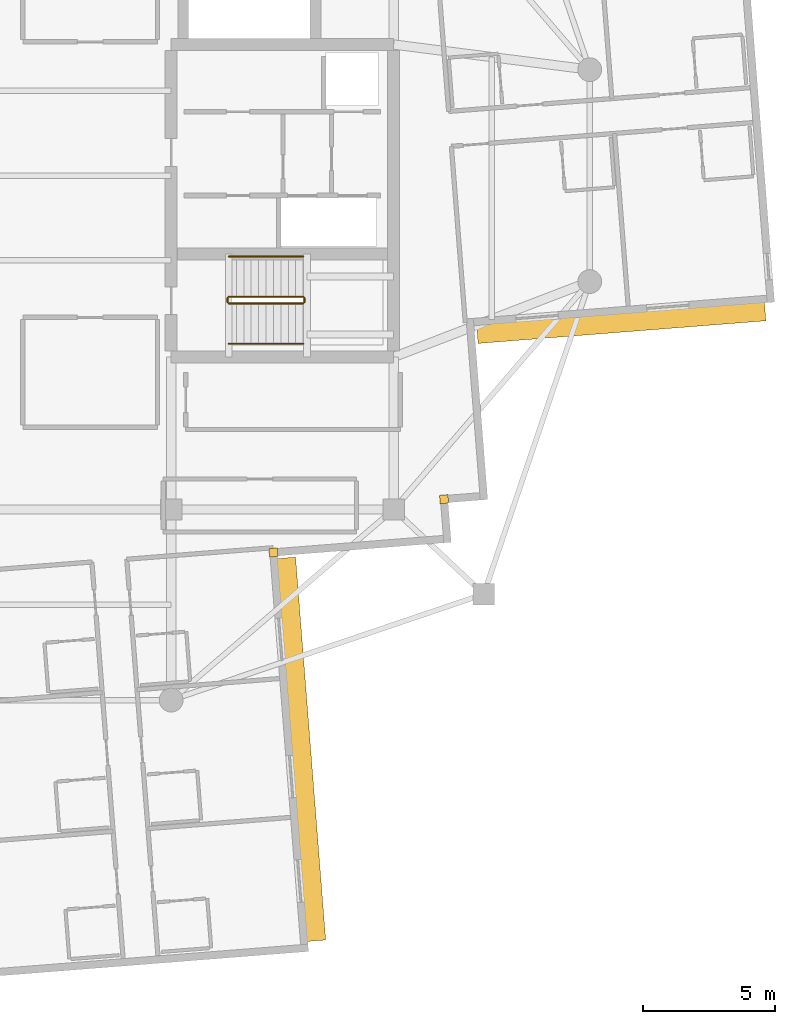
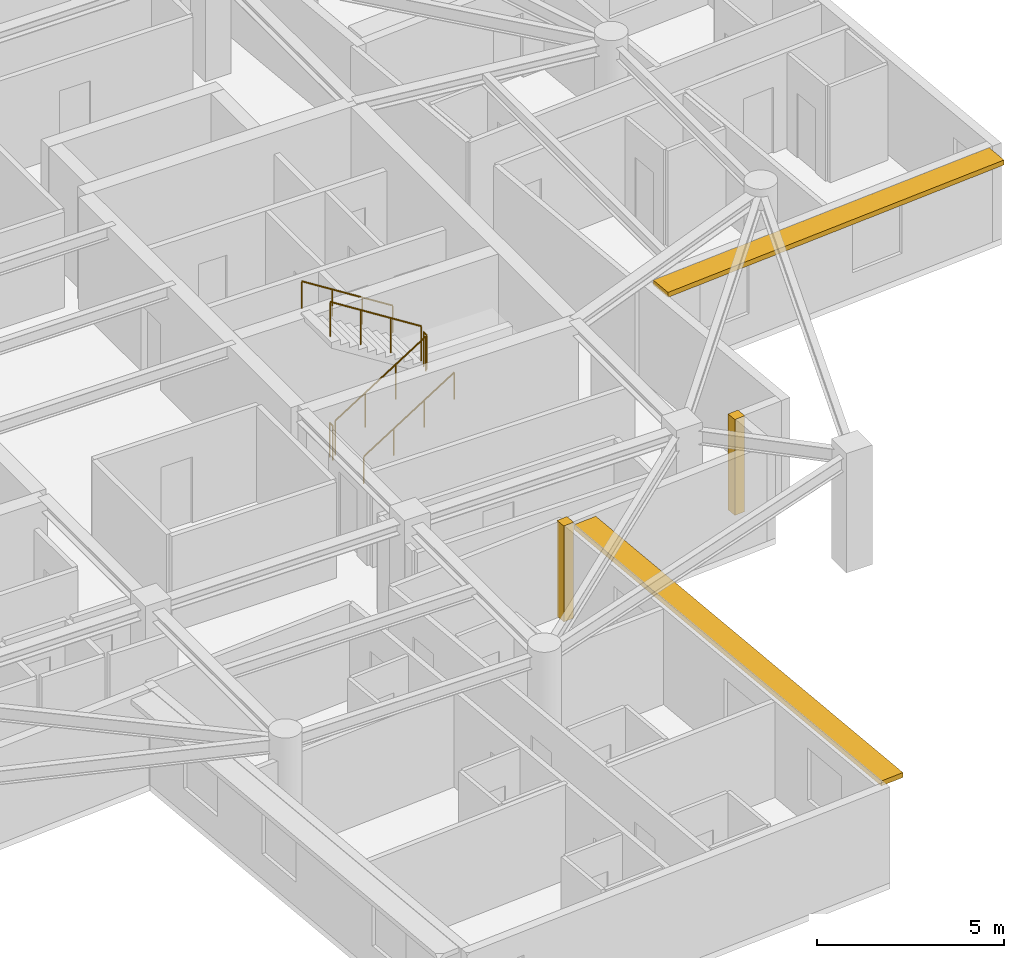
# One storey, part 11 of 13: 6 railings, 2 coverings, 2 shading devices.
"""IFC4 building model written with IfcOpenShell, lengths in metres."""

from ifc_helpers import new_model, si_unit, direction, frame, origin, origin_2d, place, context, subcontext, project, spatial, rectangle, circle, extrude, material, layer, layer_set, type_object, element, save


model = new_model("IFC4")

# Units and contexts
model_context = context("Model", 3, precision=1e-05, world=origin(), true_north=direction((0.0, 1.0)))
body_context = subcontext(model_context, "Body", "Model", "MODEL_VIEW")
ifc_project = project(units=[si_unit("LENGTHUNIT", "METRE"), si_unit("AREAUNIT", "SQUARE_METRE"), si_unit("VOLUMEUNIT", "CUBIC_METRE"), si_unit("PLANEANGLEUNIT", "RADIAN"), si_unit("MASSUNIT", "GRAM", prefix="KILO")], contexts=[model_context])

# Site, building, storey
site_placement = place(None, origin())
site = spatial("IfcSite", under=ifc_project, at=site_placement, CompositionType="ELEMENT")
building_placement = place(site_placement, origin())
building = spatial("IfcBuilding", under=site, at=building_placement, Name="Qingluan Cross Belvedere", CompositionType="ELEMENT")
storey_placement = place(building_placement, frame((0.0, 0.0, 285.0)))
storey = spatial("IfcBuildingStorey", under=building, at=storey_placement, Name="L71", CompositionType="ELEMENT", Elevation=285.0)

# Coverings
ifc_material_1 = material(Name="Precast concrete C45", Category="concrete")
ifc_layer_1 = layer(ifc_material_1, 0.1201171875, Name="ConcreteSpandrelCladding_120")
ifc_layer_set_1 = layer_set([ifc_layer_1], Name="Precast concrete C45")
covering_type = type_object("IfcCoveringType", Name="ConcreteSpandrelCladding_120", PredefinedType="CLADDING", material=ifc_layer_set_1)
for number, where, z_axis, x_axis, name in (
    (1, (14.302490234375, -12.215576171875, 0.0), (0.0, 0.0, 1.0), (0.996917333733, 0.078459095728, 0.0), "Corner closure L71-SE1"),
    (2, (7.860595703125, -14.22705078125, 0.0), (0.0, 0.0, 1.0), (0.996917333733, 0.078459095728, 0.0), "Corner closure L71-SE2"),
):
    element("IfcCovering", number, at=place(storey_placement, frame(where, z_axis=z_axis, x_axis=x_axis)), inside=storey, type_object=covering_type, Name=name, PredefinedType="CLADDING", context=body_context, shape_type="SweptSolid", body=[
        extrude(rectangle(XDim=0.320068359375, YDim=0.320068359375, at=origin_2d()), origin(), (0.0, 0.0, 1.0), 3.1298828125),
    ])

# Shading devices
ifc_material_2 = material(Name="Precast concrete C45", Category="concrete")
ifc_layer_2 = layer(ifc_material_2, 0.139892578125, Name="ConcreteSunshadeBand_700")
ifc_layer_set_2 = layer_set([ifc_layer_2], Name="Precast concrete C45")
shading_device_type = type_object("IfcShadingDeviceType", Name="ConcreteSunshadeBand_700", PredefinedType="USERDEFINED", material=ifc_layer_set_2)
shading_device_1_placement = place(storey_placement, frame((20.990966796875, -5.560302734375, 2.9501953125), z_axis=(0.0, 0.0, 1.0), x_axis=(0.996917315041, 0.078459333231, 0.0)))
element("IfcShadingDevice", 3, at=shading_device_1_placement, inside=storey, type_object=shading_device_type, Name="Concrete SUNSHADE L71-EA", ObjectType="SUNSHADE", PredefinedType="USERDEFINED", context=body_context, shape_type="SweptSolid", body=[
    extrude(rectangle(XDim=10.89990234375, YDim=0.699951171875, at=origin_2d()), origin(), (0.0, 0.0, 1.0), 0.159912109375),
])
shading_device_2_placement = place(storey_placement, frame((8.916748046875, -21.6572265625, 2.9501953125), z_axis=(0.0, 0.0, 1.0), x_axis=(-0.078455721862, 0.996917599256, 0.0)))
element("IfcShadingDevice", 4, at=shading_device_2_placement, inside=storey, type_object=shading_device_type, Name="Concrete SUNSHADE L71-SB", ObjectType="SUNSHADE", PredefinedType="USERDEFINED", context=body_context, shape_type="SweptSolid", body=[
    extrude(rectangle(XDim=14.5, YDim=0.699951171875, at=origin_2d()), origin(), (0.0, 0.0, 1.0), 0.159912109375),
])

# Railings
ifc_material_3 = material(Name="Brushed stainless steel tubular handrail", Category="steel")
railing_type_1 = type_object("IfcRailingType", Name="StairPitchHandrail_900", PredefinedType="HANDRAIL", material=ifc_material_3)
railing_1_placement = place(storey_placement, frame((6.179931640625, -6.35009765625, 0.17724609375)))
element("IfcRailing", 5, at=railing_1_placement, inside=storey, type_object=railing_type_1, Name="L71 ST2 stair handrail 1", PredefinedType="HANDRAIL", context=body_context, shape_type="SweptSolid", body=[
    extrude(circle(Radius=0.02392578125, at=origin_2d()), frame((0.0, 0.0, 0.8759765625), z_axis=(0.844908973607, 0.0, 0.534910110503), x_axis=(0.0, 1.0, 0.0)), (0.0, 0.0, 1.0), 3.31396484375),
    extrude(circle(Radius=0.02099609375, at=origin_2d()), origin(), (0.0, 0.0, 1.0), 0.851806640625),
    extrude(circle(Radius=0.02099609375, at=origin_2d()), frame((0.933349609375, 0.0, 0.5908203125)), (0.0, 0.0, 1.0), 0.851806640625),
    extrude(circle(Radius=0.02099609375, at=origin_2d()), frame((1.86669921875, 0.0, 1.181884765625)), (0.0, 0.0, 1.0), 0.851806640625),
    extrude(circle(Radius=0.02099609375, at=origin_2d()), frame((2.800048828125, 0.0, 1.772705078125)), (0.0, 0.0, 1.0), 0.851806640625),
])
railing_2_placement = place(storey_placement, frame((8.97998046875, -3.050048828125, 2.127197265625)))
element("IfcRailing", 6, at=railing_2_placement, inside=storey, type_object=railing_type_1, Name="L71 ST2 stair handrail 2", PredefinedType="HANDRAIL", context=body_context, shape_type="SweptSolid", body=[
    extrude(circle(Radius=0.02392578125, at=origin_2d()), frame((0.0, 0.0, 0.8759765625), z_axis=(-0.844908973607, 0.0, 0.534910110503), x_axis=(0.0, -1.0, 0.0)), (0.0, 0.0, 1.0), 3.31396484375),
    extrude(circle(Radius=0.02099609375, at=origin_2d()), origin(), (0.0, 0.0, 1.0), 0.851806640625),
    extrude(circle(Radius=0.02099609375, at=origin_2d()), frame((-0.933349609375, 0.0, 0.5908203125)), (0.0, 0.0, 1.0), 0.851806640625),
    extrude(circle(Radius=0.02099609375, at=origin_2d()), frame((-1.86669921875, 0.0, 1.181884765625)), (0.0, 0.0, 1.0), 0.851806640625),
    extrude(circle(Radius=0.02099609375, at=origin_2d()), frame((-2.800048828125, 0.0, 1.772705078125)), (0.0, 0.0, 1.0), 0.851806640625),
])
ifc_material_4 = material(Name="Painted steel stair well guard", Category="steel")
railing_type_2 = type_object("IfcRailingType", Name="StairWellGuard_1150", PredefinedType="BALUSTRADE", material=ifc_material_4)
railing_3_placement = place(storey_placement, frame((6.179931640625, -4.830078125, 0.17724609375)))
element("IfcRailing", 7, at=railing_3_placement, inside=storey, type_object=railing_type_2, Name="L71 ST2 stair guard 1", PredefinedType="BALUSTRADE", context=body_context, shape_type="SweptSolid", body=[
    extrude(circle(Radius=0.02392578125, at=origin_2d()), frame((0.0, 0.0, 1.1259765625), z_axis=(0.844908973607, 0.0, 0.534910110503), x_axis=(0.0, 1.0, 0.0)), (0.0, 0.0, 1.0), 3.31396484375),
    extrude(circle(Radius=0.02099609375, at=origin_2d()), origin(), (0.0, 0.0, 1.0), 1.101806640625),
    extrude(circle(Radius=0.02099609375, at=origin_2d()), frame((0.933349609375, 0.0, 0.5908203125)), (0.0, 0.0, 1.0), 1.101806640625),
    extrude(circle(Radius=0.02099609375, at=origin_2d()), frame((1.86669921875, 0.0, 1.181884765625)), (0.0, 0.0, 1.0), 1.101806640625),
    extrude(circle(Radius=0.02099609375, at=origin_2d()), frame((2.800048828125, 0.0, 1.772705078125)), (0.0, 0.0, 1.0), 1.101806640625),
])
railing_4_placement = place(storey_placement, frame((9.030029296875, -4.780029296875, 1.949951171875)))
element("IfcRailing", 8, at=railing_4_placement, inside=storey, type_object=railing_type_2, Name="L71 ST2 stair guard 2", PredefinedType="BALUSTRADE", context=body_context, shape_type="SweptSolid", body=[
    extrude(circle(Radius=0.02392578125, at=origin_2d()), frame((0.0, 0.0, 1.1259765625), z_axis=(0.0, 1.0, 0.0), x_axis=(-1.0, 0.0, 0.0)), (0.0, 0.0, 1.0), 0.159912109375),
    extrude(circle(Radius=0.02099609375, at=origin_2d()), origin(), (0.0, 0.0, 1.0), 1.101806640625),
    extrude(circle(Radius=0.02099609375, at=origin_2d()), frame((0.0, 0.159912109375, 0.0)), (0.0, 0.0, 1.0), 1.101806640625),
])
railing_5_placement = place(storey_placement, frame((8.97998046875, -4.570068359375, 2.127197265625)))
element("IfcRailing", 9, at=railing_5_placement, inside=storey, type_object=railing_type_2, Name="L71 ST2 stair guard 3", PredefinedType="BALUSTRADE", context=body_context, shape_type="SweptSolid", body=[
    extrude(circle(Radius=0.02392578125, at=origin_2d()), frame((0.0, 0.0, 1.1259765625), z_axis=(-0.844908973607, 0.0, 0.534910110503), x_axis=(0.0, -1.0, 0.0)), (0.0, 0.0, 1.0), 3.31396484375),
    extrude(circle(Radius=0.02099609375, at=origin_2d()), origin(), (0.0, 0.0, 1.0), 1.101806640625),
    extrude(circle(Radius=0.02099609375, at=origin_2d()), frame((-0.933349609375, 0.0, 0.5908203125)), (0.0, 0.0, 1.0), 1.101806640625),
    extrude(circle(Radius=0.02099609375, at=origin_2d()), frame((-1.86669921875, 0.0, 1.181884765625)), (0.0, 0.0, 1.0), 1.101806640625),
    extrude(circle(Radius=0.02099609375, at=origin_2d()), frame((-2.800048828125, 0.0, 1.772705078125)), (0.0, 0.0, 1.0), 1.101806640625),
])
railing_6_placement = place(storey_placement, frame((6.1298828125, -4.780029296875, 0.0)))
element("IfcRailing", 10, at=railing_6_placement, inside=storey, type_object=railing_type_2, Name="L71 ST2 stair guard 4", PredefinedType="BALUSTRADE", context=body_context, shape_type="SweptSolid", body=[
    extrude(circle(Radius=0.02392578125, at=origin_2d()), frame((0.0, 0.0, 1.1259765625), z_axis=(0.0, 1.0, 0.0), x_axis=(-1.0, 0.0, 0.0)), (0.0, 0.0, 1.0), 0.159912109375),
    extrude(circle(Radius=0.02099609375, at=origin_2d()), origin(), (0.0, 0.0, 1.0), 1.101806640625),
    extrude(circle(Radius=0.02099609375, at=origin_2d()), frame((0.0, 0.159912109375, 0.0)), (0.0, 0.0, 1.0), 1.101806640625),
])

save(model, "model.ifc")
